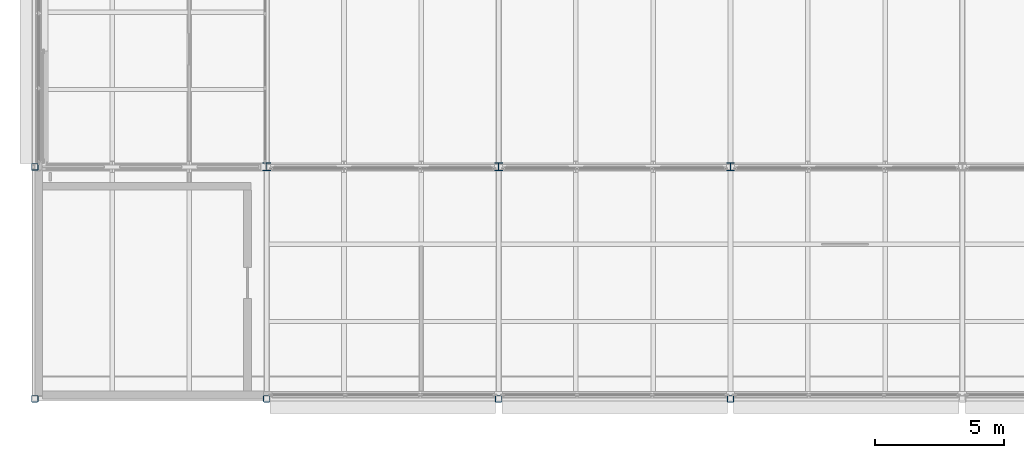
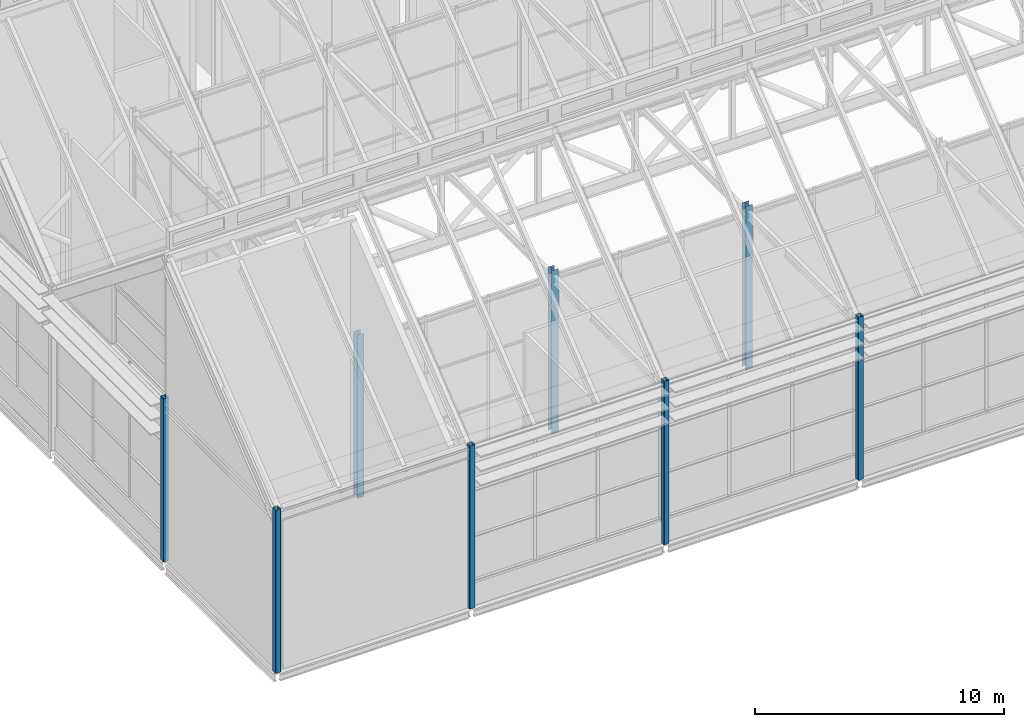
# One storey, part 1 of 144: 8 columns.
"""IFC4 building model written with IfcOpenShell, lengths in metres."""

from ifc_helpers import new_model, si_unit, direction, frame, origin, origin_2d, place, context, subcontext, project, spatial, hollow_rectangle, i_section, extrude, material, material_profile, profile_set, type_object, element, save


model = new_model("IFC4")

# Units and contexts
model_context = context("Model", 3, precision=1e-05, world=origin(), true_north=direction((0.0, 1.0)))
body_context = subcontext(model_context, "Body", "Model", "MODEL_VIEW")
ifc_project = project(units=[si_unit("LENGTHUNIT", "METRE"), si_unit("AREAUNIT", "SQUARE_METRE"), si_unit("VOLUMEUNIT", "CUBIC_METRE"), si_unit("PLANEANGLEUNIT", "RADIAN"), si_unit("MASSUNIT", "GRAM", prefix="KILO")], contexts=[model_context])

# Site, building, storey
site_placement = place(None, origin())
site = spatial("IfcSite", under=ifc_project, at=site_placement, CompositionType="ELEMENT")
building_placement = place(site_placement, origin())
building = spatial("IfcBuilding", under=site, at=building_placement, Name="Shorebreak Coast Museum", CompositionType="ELEMENT")
storey_placement = place(building_placement, frame((0.0, 0.0, 36.0)))
storey = spatial("IfcBuildingStorey", under=building, at=storey_placement, Name="L06", CompositionType="ELEMENT", Elevation=36.0)

# Columns
ifc_material_1 = material(Name="Steel Grade C450L0", Category="steel")
ifc_material_profile_1 = material_profile(ifc_material_1, hollow_rectangle(XDim=0.25, YDim=0.25, WallThickness=0.009033203125, InnerFilletRadius=0.013427734375, OuterFilletRadius=0.0224609375, at=origin_2d()), Name="250x250x9.0 SHS")
ifc_profile_set_1 = profile_set([ifc_material_profile_1], Name="Steel Grade C450L0")
column_type_1 = type_object("IfcColumnType", Name="Column 250x250x9.0 SHS", PredefinedType="COLUMN", material=ifc_profile_set_1)
for number, where, z_axis, x_axis, name in (
    (1, (54.0, 54.0, 0.0), (0.0, 0.0, 1.0), (1.0, 0.0, 0.0), "Column L06 7G"),
    (2, (63.0, 54.0, 0.0), (0.0, 0.0, 1.0), (1.0, 0.0, 0.0), "Column L06 8G"),
    (3, (72.0, 54.0, 0.0), (0.0, 0.0, 1.0), (1.0, 0.0, 0.0), "Column L06 9G"),
    (4, (81.0, 54.0, 0.0), (0.0, 0.0, 1.0), (1.0, 0.0, 0.0), "Column L06 10G"),
    (5, (54.0, 63.0, 0.0), (0.0, 0.0, 1.0), (1.0, 0.0, 0.0), "Column L06 7H"),
):
    element("IfcColumn", number, at=place(storey_placement, frame(where, z_axis=z_axis, x_axis=x_axis)), inside=storey, type_object=column_type_1, Name=name, PredefinedType="COLUMN", context=body_context, shape_type="SweptSolid", body=[
        extrude(hollow_rectangle(XDim=0.25, YDim=0.25, WallThickness=0.009033203125, InnerFilletRadius=0.013427734375, OuterFilletRadius=0.0224609375, at=origin_2d()), origin(), (0.0, 0.0, 1.0), 8.0),
    ])
ifc_material_2 = material(Name="Steel Grade 300", Category="steel")
ifc_material_profile_2 = material_profile(ifc_material_2, i_section(OverallWidth=0.306884765625, OverallDepth=0.314697265625, WebThickness=0.011962890625, FlangeThickness=0.018798828125, FilletRadius=0.0166015625, at=origin_2d()), Name="310UC118")
ifc_profile_set_2 = profile_set([ifc_material_profile_2], Name="Steel Grade 300")
column_type_2 = type_object("IfcColumnType", Name="Column 310UC118", PredefinedType="COLUMN", material=ifc_profile_set_2)
for number, where, z_axis, x_axis, name in (
    (6, (63.0, 63.0, 0.0), (0.0, 0.0, 1.0), (1.0, 0.0, 0.0), "Column L06 8H"),
    (7, (72.0, 63.0, 0.0), (0.0, 0.0, 1.0), (1.0, 0.0, 0.0), "Column L06 9H"),
    (8, (81.0, 63.0, 0.0), (0.0, 0.0, 1.0), (1.0, 0.0, 0.0), "Column L06 10H"),
):
    element("IfcColumn", number, at=place(storey_placement, frame(where, z_axis=z_axis, x_axis=x_axis)), inside=storey, type_object=column_type_2, Name=name, PredefinedType="COLUMN", context=body_context, shape_type="SweptSolid", body=[
        extrude(i_section(OverallWidth=0.306884765625, OverallDepth=0.314697265625, WebThickness=0.011962890625, FlangeThickness=0.018798828125, FilletRadius=0.0166015625, at=origin_2d()), origin(), (0.0, 0.0, 1.0), 8.0),
    ])

save(model, "model.ifc")
